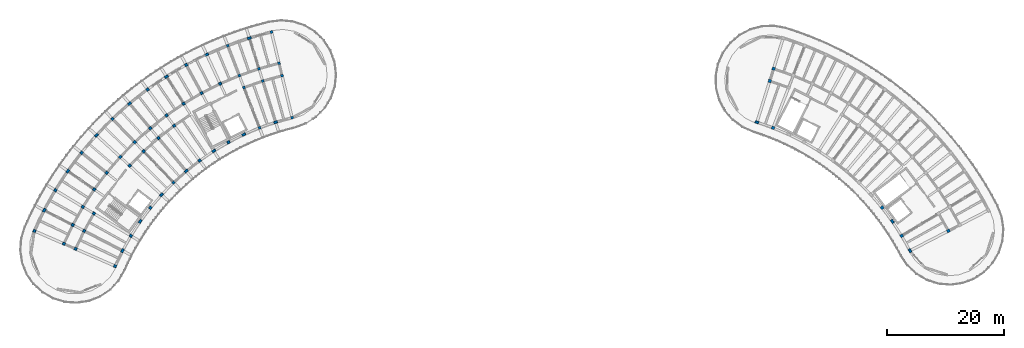
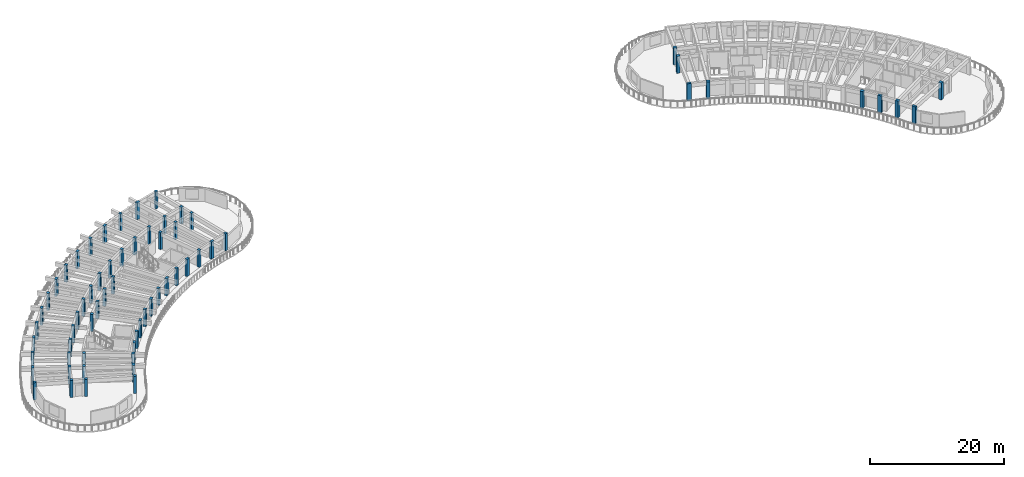
# One storey, part 1 of 32: 64 columns.
"""IFC4 building model written with IfcOpenShell, lengths in metres."""

from ifc_helpers import new_model, si_unit, direction, frame, origin, origin_2d, place, context, subcontext, project, spatial, rectangle, extrude, material, material_profile, profile_set, type_object, element, save


model = new_model("IFC4")

# Units and contexts
model_context = context("Model", 3, precision=1e-05, world=origin(), true_north=direction((0.0, 1.0)))
body_context = subcontext(model_context, "Body", "Model", "MODEL_VIEW")
ifc_project = project(units=[si_unit("LENGTHUNIT", "METRE"), si_unit("AREAUNIT", "SQUARE_METRE"), si_unit("VOLUMEUNIT", "CUBIC_METRE"), si_unit("PLANEANGLEUNIT", "RADIAN"), si_unit("MASSUNIT", "GRAM", prefix="KILO")], contexts=[model_context])

# Site, building, storey
site_placement = place(None, origin())
site = spatial("IfcSite", under=ifc_project, at=site_placement, CompositionType="ELEMENT")
building_placement = place(site_placement, origin())
building = spatial("IfcBuilding", under=site, at=building_placement, Name="Tanwirah Colonnade Gardens", CompositionType="ELEMENT")
storey_placement = place(building_placement, frame((0.0, 0.0, 42.43994140625)))
storey = spatial("IfcBuildingStorey", under=building, at=storey_placement, Name="L12", CompositionType="ELEMENT", Elevation=42.43994140625)

# Columns
ifc_material_1 = material(Name="Precast concrete C40/50", Category="concrete")
ifc_material_profile_1 = material_profile(ifc_material_1, rectangle(XDim=0.449951171875, YDim=0.449951171875, at=origin_2d()), Name="PC-COL 450x450")
ifc_profile_set_1 = profile_set([ifc_material_profile_1], Name="Precast concrete C40/50")
column_type_1 = type_object("IfcColumnType", Name="C-PC450", PredefinedType="COLUMN", material=ifc_profile_set_1)
for number, where, z_axis, x_axis, name in (
    (1, (54.58154296875, 103.411865234375, 0.0), (0.0, 0.0, 1.0), (-0.23438809799, 0.972143106503, 0.0), "Block A L12 Column 2-R0"),
    (2, (52.846923828125, 110.605712890625, 0.0), (0.0, 0.0, 1.0), (-0.23438809799, 0.972143106503, 0.0), "Block A L12 Column 2-R1"),
    (3, (52.331298828125, 112.744384765625, 0.0), (0.0, 0.0, 1.0), (-0.23438809799, 0.972143106503, 0.0), "Block A L12 Column 2-R2"),
    (4, (51.042236328125, 118.091064453125, 0.0), (0.0, 0.0, 1.0), (-0.23438809799, 0.972143106503, 0.0), "Block A L12 Column 2-R3"),
    (5, (49.55224609375, 109.6953125, 0.0), (0.0, 0.0, 1.0), (-0.297930292146, 0.954587628781, 0.0), "Block A L12 Column 3-R1"),
    (6, (48.89697265625, 111.79541015625, 0.0), (0.0, 0.0, 1.0), (-0.297930292146, 0.954587628781, 0.0), "Block A L12 Column 3-R2"),
    (7, (48.989990234375, 101.666748046875, 0.0), (0.0, 0.0, 1.0), (-0.360177739278, 0.932883699144, 0.0), "Block A L12 Column 4-R0"),
    (8, (46.32470703125, 108.570068359375, 0.0), (0.0, 0.0, 1.0), (-0.360177739278, 0.932883699144, 0.0), "Block A L12 Column 4-R1"),
    (9, (45.532470703125, 110.622314453125, 0.0), (0.0, 0.0, 1.0), (-0.360177739278, 0.932883699144, 0.0), "Block A L12 Column 4-R2"),
    (10, (43.551513671875, 115.753173828125, 0.0), (0.0, 0.0, 1.0), (-0.360177739278, 0.932883699144, 0.0), "Block A L12 Column 4-R3"),
    (11, (42.25244140625, 109.230224609375, 0.0), (0.0, 0.0, 1.0), (-0.420859924104, 0.907125638643, 0.0), "Block A L12 Column 5-R2"),
    (12, (43.6767578125, 99.20166015625, 0.0), (0.0, 0.0, 1.0), (-0.479713133669, 0.877425386791, 0.0), "Block A L12 Column 6-R0"),
    (13, (39.071533203125, 107.624755859375, 0.0), (0.0, 0.0, 1.0), (-0.479713133669, 0.877425386791, 0.0), "Block A L12 Column 6-R2"),
    (14, (36.43310546875, 112.45068359375, 0.0), (0.0, 0.0, 1.0), (-0.479713133669, 0.877425386791, 0.0), "Block A L12 Column 6-R3"),
    (15, (36.003173828125, 105.8134765625, 0.0), (0.0, 0.0, 1.0), (-0.536481603385, 0.843912015099, 0.0), "Block A L12 Column 7-R2"),
    (16, (38.733642578125, 96.05908203125, 0.0), (0.0, 0.0, 1.0), (-0.590918628541, 0.806731166153, 0.0), "Block A L12 Column 8-R0"),
    (17, (34.36083984375, 102.029052734375, 0.0), (0.0, 0.0, 1.0), (-0.590918628541, 0.806731166153, 0.0), "Block A L12 Column 8-R1"),
    (18, (33.060791015625, 103.8037109375, 0.0), (0.0, 0.0, 1.0), (-0.590918628541, 0.806731166153, 0.0), "Block A L12 Column 8-R2"),
    (19, (29.810791015625, 108.24072265625, 0.0), (0.0, 0.0, 1.0), (-0.590918628541, 0.806731166153, 0.0), "Block A L12 Column 8-R3"),
    (20, (31.67138671875, 99.91943359375, 0.0), (0.0, 0.0, 1.0), (-0.642787636427, 0.766044420681, 0.0), "Block A L12 Column 9-R1"),
    (21, (30.25732421875, 101.604736328125, 0.0), (0.0, 0.0, 1.0), (-0.642787636427, 0.766044420681, 0.0), "Block A L12 Column 9-R2"),
    (22, (34.24658203125, 92.294189453125, 0.0), (0.0, 0.0, 1.0), (-0.691863214436, 0.722028595355, 0.0), "Block A L12 Column 10-R0"),
    (23, (29.126953125, 97.63720703125, 0.0), (0.0, 0.0, 1.0), (-0.691863214436, 0.722028595355, 0.0), "Block A L12 Column 10-R1"),
    (24, (27.604736328125, 99.2255859375, 0.0), (0.0, 0.0, 1.0), (-0.691863214436, 0.722028595355, 0.0), "Block A L12 Column 10-R2"),
    (25, (23.799560546875, 103.19677734375, 0.0), (0.0, 0.0, 1.0), (-0.691863214436, 0.722028595355, 0.0), "Block A L12 Column 10-R3"),
    (26, (26.73828125, 95.1923828125, 0.0), (0.0, 0.0, 1.0), (-0.737932089665, 0.674874974378, 0.0), "Block A L12 Column 11-R1"),
    (27, (25.11474609375, 96.677001953125, 0.0), (0.0, 0.0, 1.0), (-0.737932089665, 0.674874974378, 0.0), "Block A L12 Column 11-R2"),
    (28, (30.293701171875, 87.971923828125, 0.0), (0.0, 0.0, 1.0), (-0.780794055756, 0.624788478204, 0.0), "Block A L12 Column 12-R0"),
    (29, (22.798095703125, 93.9697265625, 0.0), (0.0, 0.0, 1.0), (-0.780794055756, 0.624788478204, 0.0), "Block A L12 Column 12-R2"),
    (30, (18.503662109375, 97.40625, 0.0), (0.0, 0.0, 1.0), (-0.780794055756, 0.624788478204, 0.0), "Block A L12 Column 12-R3"),
    (31, (20.664794921875, 91.115966796875, 0.0), (0.0, 0.0, 1.0), (-0.82026284295, 0.57198677299, 0.0), "Block A L12 Column 13-R2"),
    (32, (26.943359375, 83.167236328125, 0.0), (0.0, 0.0, 1.0), (-0.856166927587, 0.516699324663, 0.0), "Block A L12 Column 14-R0"),
    (33, (20.607666015625, 86.990966796875, 0.0), (0.0, 0.0, 1.0), (-0.856166927587, 0.516699324663, 0.0), "Block A L12 Column 14-R1"),
    (34, (18.72412109375, 88.127685546875, 0.0), (0.0, 0.0, 1.0), (-0.856166927587, 0.516699324663, 0.0), "Block A L12 Column 14-R2"),
    (35, (14.015380859375, 90.969482421875, 0.0), (0.0, 0.0, 1.0), (-0.856166927587, 0.516699324663, 0.0), "Block A L12 Column 14-R3"),
    (36, (18.93896484375, 84.0078125, 0.0), (0.0, 0.0, 1.0), (-0.888350277506, 0.459166401705, 0.0), "Block A L12 Column 15-R1"),
    (37, (16.984619140625, 85.017822265625, 0.0), (0.0, 0.0, 1.0), (-0.888350277506, 0.459166401705, 0.0), "Block A L12 Column 15-R2"),
    (38, (24.25390625, 77.9638671875, 0.0), (0.0, 0.0, 1.0), (-0.916673030138, 0.399638030994, 0.0), "Block A L12 Column 16-R0"),
    (39, (17.470458984375, 80.921142578125, 0.0), (0.0, 0.0, 1.0), (-0.916673030138, 0.399638030994, 0.0), "Block A L12 Column 16-R1"),
    (40, (15.453857421875, 81.800537109375, 0.0), (0.0, 0.0, 1.0), (-0.916673030138, 0.399638030994, 0.0), "Block A L12 Column 16-R2"),
    (41, (10.412109375, 83.99853515625, 0.0), (0.0, 0.0, 1.0), (-0.916673030138, 0.399638030994, 0.0), "Block A L12 Column 16-R3"),
):
    element("IfcColumn", number, at=place(storey_placement, frame(where, z_axis=z_axis, x_axis=x_axis)), inside=storey, type_object=column_type_1, Name=name, PredefinedType="COLUMN", context=body_context, shape_type="SweptSolid", body=[
        extrude(rectangle(XDim=0.449951171875, YDim=0.449951171875, at=origin_2d()), origin(), (0.0, 0.0, 1.0), 3.1201171875),
    ])
ifc_material_2 = material(Name="Precast concrete C45/55", Category="concrete")
ifc_material_profile_2 = material_profile(ifc_material_2, rectangle(XDim=0.52001953125, YDim=0.52001953125, at=origin_2d()), Name="PC-COL 520x520")
ifc_profile_set_2 = profile_set([ifc_material_profile_2], Name="Precast concrete C45/55")
column_type_2 = type_object("IfcColumnType", Name="C-PC520", PredefinedType="COLUMN", material=ifc_profile_set_2)
for number, where, z_axis, x_axis, name in (
    (42, (167.06103515625, 84.0078125, 0.0), (0.0, 0.0, 1.0), (0.88835024545, 0.459166463723, 0.0), "Block B L12 Column 3-R1"),
    (43, (159.056640625, 83.167236328125, 0.0), (0.0, 0.0, 1.0), (0.856166891514, 0.516699384434, 0.0), "Block B L12 Column 4-R0"),
    (44, (155.706298828125, 87.971923828125, 0.0), (0.0, 0.0, 1.0), (0.780794012137, 0.624788532714, 0.0), "Block B L12 Column 6-R0"),
    (45, (137.010009765625, 101.666748046875, 0.0), (0.0, 0.0, 1.0), (0.36017767415, 0.932883724289, 0.0), "Block B L12 Column 14-R0"),
    (46, (136.44775390625, 109.6953125, 0.0), (0.0, 0.0, 1.0), (0.297930225503, 0.954587649581, 0.0), "Block B L12 Column 15-R1"),
    (47, (137.10302734375, 111.79541015625, 0.0), (0.0, 0.0, 1.0), (0.297930225503, 0.954587649581, 0.0), "Block B L12 Column 15-R2"),
):
    element("IfcColumn", number, at=place(storey_placement, frame(where, z_axis=z_axis, x_axis=x_axis)), inside=storey, type_object=column_type_2, Name=name, PredefinedType="COLUMN", context=body_context, shape_type="SweptSolid", body=[
        extrude(rectangle(XDim=0.52001953125, YDim=0.52001953125, at=origin_2d()), origin(), (0.0, 0.0, 1.0), 3.10009765625),
    ])
ifc_material_profile_3 = material_profile(ifc_material_1, rectangle(XDim=0.389892578125, YDim=0.6298828125, at=origin_2d()), Name="PC-PIL 390x630")
ifc_profile_set_3 = profile_set([ifc_material_profile_3], Name="Precast concrete C40/50")
column_type_3 = type_object("IfcColumnType", Name="PIL-360", PredefinedType="PILASTER", material=ifc_profile_set_3)
for number, where, z_axis, x_axis, name in (
    (48, (51.757080078125, 102.63134765625, 0.0), (0.0, 0.0, 1.0), (-0.297930292146, 0.954587628781, 0.0), "Block A L12 Column 3-R0"),
    (49, (47.25830078125, 117.045654296875, 0.0), (0.0, 0.0, 1.0), (-0.297930292146, 0.954587628781, 0.0), "Block A L12 Column 3-R3"),
    (50, (46.292724609375, 100.521728515625, 0.0), (0.0, 0.0, 1.0), (-0.420859924104, 0.907125638643, 0.0), "Block A L12 Column 5-R0"),
    (51, (39.937744140625, 114.21923828125, 0.0), (0.0, 0.0, 1.0), (-0.420859924104, 0.907125638643, 0.0), "Block A L12 Column 5-R3"),
    (52, (41.1533203125, 97.7119140625, 0.0), (0.0, 0.0, 1.0), (-0.536481603385, 0.843912015099, 0.0), "Block A L12 Column 7-R0"),
    (53, (33.052490234375, 110.455078125, 0.0), (0.0, 0.0, 1.0), (-0.536481603385, 0.843912015099, 0.0), "Block A L12 Column 7-R3"),
    (54, (36.427978515625, 94.250732421875, 0.0), (0.0, 0.0, 1.0), (-0.642787636427, 0.766044420681, 0.0), "Block A L12 Column 9-R0"),
    (55, (26.721923828125, 105.81787109375, 0.0), (0.0, 0.0, 1.0), (-0.642787636427, 0.766044420681, 0.0), "Block A L12 Column 9-R3"),
    (56, (32.198974609375, 90.1982421875, 0.0), (0.0, 0.0, 1.0), (-0.737932089665, 0.674874974378, 0.0), "Block A L12 Column 11-R0"),
    (57, (21.05615234375, 100.388916015625, 0.0), (0.0, 0.0, 1.0), (-0.737932089665, 0.674874974378, 0.0), "Block A L12 Column 11-R3"),
    (58, (28.539306640625, 85.624755859375, 0.0), (0.0, 0.0, 1.0), (-0.82026284295, 0.57198677299, 0.0), "Block A L12 Column 13-R0"),
    (59, (16.1533203125, 94.26171875, 0.0), (0.0, 0.0, 1.0), (-0.82026284295, 0.57198677299, 0.0), "Block A L12 Column 13-R3"),
    (60, (25.512939453125, 80.60986328125, 0.0), (0.0, 0.0, 1.0), (-0.888350277506, 0.459166401705, 0.0), "Block A L12 Column 15-R0"),
    (61, (12.0986328125, 87.54345703125, 0.0), (0.0, 0.0, 1.0), (-0.888350277506, 0.459166401705, 0.0), "Block A L12 Column 15-R3"),
):
    element("IfcColumn", number, at=place(storey_placement, frame(where, z_axis=z_axis, x_axis=x_axis)), inside=storey, type_object=column_type_3, Name=name, PredefinedType="PILASTER", context=body_context, shape_type="SweptSolid", body=[
        extrude(rectangle(XDim=0.389892578125, YDim=0.6298828125, at=origin_2d()), origin(), (0.0, 0.0, 1.0), 3.1201171875),
    ])
for number, where, z_axis, x_axis, name in (
    (62, (160.487060546875, 80.60986328125, 0.0), (0.0, 0.0, 1.0), (0.88835024545, 0.459166463723, 0.0), "Block B L12 Column 3-R0"),
    (63, (157.460693359375, 85.624755859375, 0.0), (0.0, 0.0, 1.0), (0.820262803018, 0.571986830255, 0.0), "Block B L12 Column 5-R0"),
    (64, (134.242919921875, 102.63134765625, 0.0), (0.0, 0.0, 1.0), (0.297930225503, 0.954587649581, 0.0), "Block B L12 Column 15-R0"),
):
    element("IfcColumn", number, at=place(storey_placement, frame(where, z_axis=z_axis, x_axis=x_axis)), inside=storey, type_object=column_type_3, Name=name, PredefinedType="PILASTER", context=body_context, shape_type="SweptSolid", body=[
        extrude(rectangle(XDim=0.389892578125, YDim=0.6298828125, at=origin_2d()), origin(), (0.0, 0.0, 1.0), 3.10009765625),
    ])

save(model, "model.ifc")
